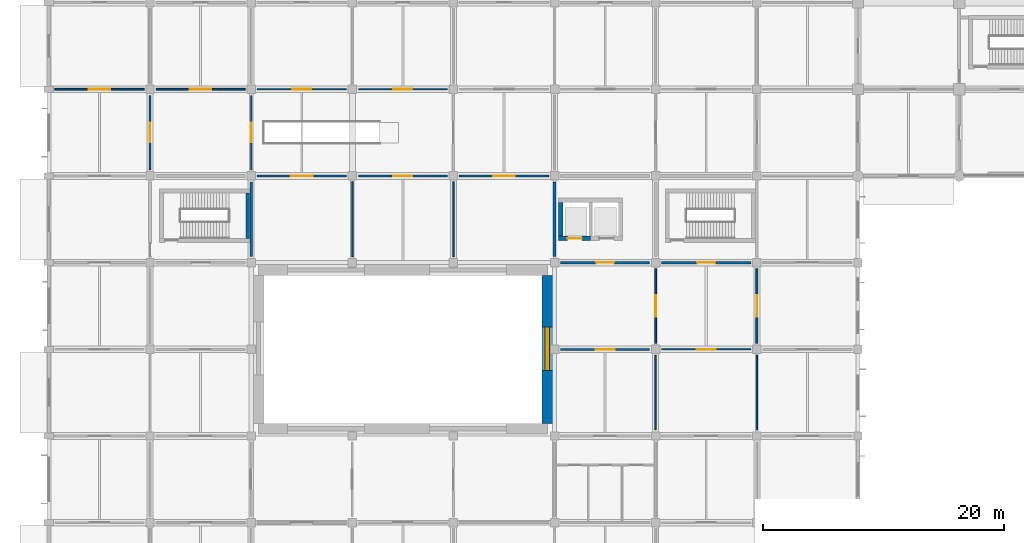
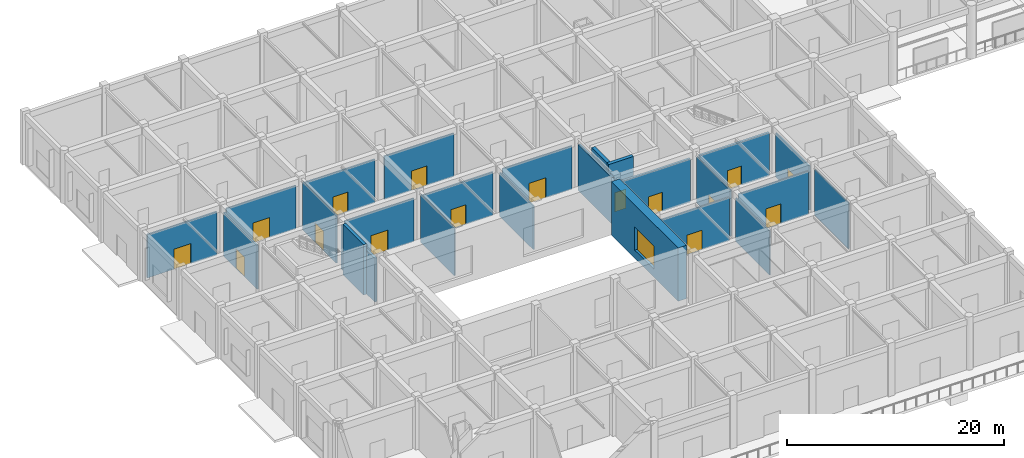
# One storey, part 15 of 39: 25 walls, 16 doors, 1 window, 17 openings.
"""IFC4 building model written with IfcOpenShell, lengths in metres."""

from ifc_helpers import new_model, si_unit, derived_unit, direction, frame, frame_2d, origin, place, context, subcontext, project, spatial, rectangle, extrude, material, layer, layer_set, type_object, element, fill, save


model = new_model("IFC4")

# Units and contexts
model_context = context("Model", 3, precision=1e-05, world=origin(), true_north=direction((0.0, 1.0)))
body_context = subcontext(model_context, "Body", "Model", "MODEL_VIEW")
ifc_project = project(units=[si_unit("LENGTHUNIT", "METRE"), si_unit("AREAUNIT", "SQUARE_METRE"), si_unit("VOLUMEUNIT", "CUBIC_METRE"), si_unit("PLANEANGLEUNIT", "RADIAN"), si_unit("MASSUNIT", "GRAM", prefix="KILO"), derived_unit("THERMALTRANSMITTANCEUNIT", [(si_unit("MASSUNIT", "GRAM", prefix="KILO"), 1), (si_unit("TIMEUNIT", "SECOND"), -3), (si_unit("THERMODYNAMICTEMPERATUREUNIT", "KELVIN"), -1)])], contexts=[model_context])

# Site, building, storey
site_placement = place(None, origin())
site = spatial("IfcSite", under=ifc_project, at=site_placement, CompositionType="ELEMENT")
building_placement = place(site_placement, origin())
building = spatial("IfcBuilding", under=site, at=building_placement, Name="Veldstrom Oceanarium and Marine Research Institute", CompositionType="ELEMENT")
storey_placement = place(building_placement, origin())
storey = spatial("IfcBuildingStorey", under=building, at=storey_placement, Name="L00", CompositionType="ELEMENT", Elevation=0.0)

# Walls
ifc_material_1 = material(Name="Masonry Fire Compartment Wall", Category="masonry")
ifc_layer_1 = layer(ifc_material_1, 0.22998046875)
ifc_layer_set_1 = layer_set([ifc_layer_1], Name="ARC-WAL-PT1")
wall_type_1 = type_object("IfcWallType", Name="ARC-WAL-PT1", PredefinedType="PARTITIONING", material=ifc_layer_set_1)
wall_1_placement = place(storey_placement, frame((16.800048828125, 36.5, 0.0), z_axis=(0.0, 0.0, 1.0), x_axis=(0.0, 1.0, 0.0)))
element("IfcWall", 1, at=wall_1_placement, inside=storey, type_object=wall_type_1, Name="Interior Partition PT1 L00-0598", PredefinedType="PARTITIONING", context=body_context, shape_type="SweptSolid", body=[
    extrude(rectangle(XDim=6.199951171875, YDim=0.22998046875, at=frame_2d((3.10009765625, 0.0))), origin(), (0.0, 0.0, 1.0), 4.919921875),
])
wall_2_placement = place(storey_placement, frame((42.0, 36.5, 0.0), z_axis=(0.0, 0.0, 1.0), x_axis=(0.0, 1.0, 0.0)))
element("IfcWall", 2, at=wall_2_placement, inside=storey, type_object=wall_type_1, Name="Interior Partition PT1 L00-0638", PredefinedType="PARTITIONING", context=body_context, shape_type="SweptSolid", body=[
    extrude(rectangle(XDim=6.199951171875, YDim=0.22998046875, at=frame_2d((3.10009765625, 0.0))), origin(), (0.0, 0.0, 1.0), 5.169921875),
])

# Wall, opening, door
wall_3_placement = place(storey_placement, frame((42.5, 36.0, 0.0), z_axis=(0.0, 0.0, 1.0), x_axis=(1.0, 0.0, 0.0)))
wall_3 = element("IfcWall", 3, at=wall_3_placement, inside=storey, type_object=wall_type_1, Name="Interior Partition PT1 L00-0656", PredefinedType="PARTITIONING", context=body_context, shape_type="SweptSolid", body=[
    extrude(rectangle(XDim=7.39990234375, YDim=0.22998046875, at=frame_2d((3.699951171875, 0.0))), origin(), (0.0, 0.0, 1.0), 4.8701171875),
])
opening_1_placement = place(wall_3_placement, frame((2.949951171875, 0.0, 0.0)))
opening_1 = element("IfcOpeningElement", 4, at=opening_1_placement, cuts=wall_3, Name="Opening D-L00-381", PredefinedType="OPENING", context=body_context, shape_type="SweptSolid", body=[
    extrude(rectangle(XDim=1.5, YDim=2.14990234375, at=frame_2d((0.75, 1.074951171875))), frame((0.0, 0.125, 0.0), z_axis=(0.0, -1.0, 0.0), x_axis=(1.0, 0.0, 0.0)), (0.0, 0.0, 1.0), 0.25),
])
ifc_material_2 = material(Name="Painted Steel Lobby Fire Door", Category="steel")
door_type_1 = type_object("IfcDoorType", Name="ARC-DOR-SD2", OperationType="DOUBLE_DOOR_SINGLE_SWING", PredefinedType="DOOR", material=ifc_material_2)
door_1_placement = place(opening_1_placement, frame((1.5, 0.0, 0.0), z_axis=(0.0, 0.0, 1.0), x_axis=(-1.0, 0.0, 0.0)))
door_1 = element("IfcDoor", 5, at=door_1_placement, inside=storey, type_object=door_type_1, Name="Interior Door D-L00-381", OperationType="DOUBLE_DOOR_SINGLE_SWING", OverallHeight=2.14990234375, OverallWidth=1.5, PredefinedType="DOOR", context=body_context, shape_type="SweptSolid", body=[
    extrude(rectangle(XDim=1.5, YDim=2.14990234375, at=frame_2d((0.75, 1.074951171875))), frame((0.0, 0.02490234375, 0.0), z_axis=(0.0, -1.0, 0.0), x_axis=(1.0, 0.0, 0.0)), (0.0, 0.0, 1.0), 0.050048828125),
])
fill(opening_1, door_1)

wall_4_placement = place(storey_placement, frame((50.89990234375, 36.0, 0.0), z_axis=(0.0, 0.0, 1.0), x_axis=(1.0, 0.0, 0.0)))
wall_4 = element("IfcWall", 6, at=wall_4_placement, inside=storey, type_object=wall_type_1, Name="Interior Partition PT1 L00-0675", PredefinedType="PARTITIONING", context=body_context, shape_type="SweptSolid", body=[
    extrude(rectangle(XDim=7.400146484375, YDim=0.22998046875, at=frame_2d((3.7001953125, 0.0))), origin(), (0.0, 0.0, 1.0), 4.8701171875),
])
opening_2_placement = place(wall_4_placement, frame((2.949951171875, 0.0, 0.0)))
opening_2 = element("IfcOpeningElement", 7, at=opening_2_placement, cuts=wall_4, Name="Opening D-L00-391", PredefinedType="OPENING", context=body_context, shape_type="SweptSolid", body=[
    extrude(rectangle(XDim=1.5, YDim=2.14990234375, at=frame_2d((0.75, 1.074951171875))), frame((0.0, 0.125, 0.0), z_axis=(0.0, -1.0, 0.0), x_axis=(1.0, 0.0, 0.0)), (0.0, 0.0, 1.0), 0.25),
])
door_2_placement = place(opening_2_placement, frame((1.5, 0.0, 0.0), z_axis=(0.0, 0.0, 1.0), x_axis=(-1.0, 0.0, 0.0)))
door_2 = element("IfcDoor", 8, at=door_2_placement, inside=storey, type_object=door_type_1, Name="Interior Door D-L00-391", OperationType="DOUBLE_DOOR_SINGLE_SWING", OverallHeight=2.14990234375, OverallWidth=1.5, PredefinedType="DOOR", context=body_context, shape_type="SweptSolid", body=[
    extrude(rectangle(XDim=1.5, YDim=2.14990234375, at=frame_2d((0.75, 1.074951171875))), frame((0.0, 0.02490234375, 0.0), z_axis=(0.0, -1.0, 0.0), x_axis=(1.0, 0.0, 0.0)), (0.0, 0.0, 1.0), 0.050048828125),
])
fill(opening_2, door_2)

ifc_material_3 = material(Name="Drywall Corridor Partition", Category="gypsum")
ifc_layer_2 = layer(ifc_material_3, 0.155029296875)
ifc_layer_set_2 = layer_set([ifc_layer_2], Name="ARC-WAL-PT4")
wall_type_2 = type_object("IfcWallType", Name="ARC-WAL-PT4", PredefinedType="PARTITIONING", material=ifc_layer_set_2)
wall_5_placement = place(storey_placement, frame((8.39990234375, 43.699951171875, 0.0), z_axis=(0.0, 0.0, 1.0), x_axis=(0.0, 1.0, 0.0)))
wall_5 = element("IfcWall", 9, at=wall_5_placement, inside=storey, type_object=wall_type_2, Name="Interior Partition PT4 L00-0583", PredefinedType="PARTITIONING", context=body_context, shape_type="SweptSolid", body=[
    extrude(rectangle(XDim=6.199951171875, YDim=0.155029296875, at=frame_2d((3.10009765625, 0.0))), origin(), (0.0, 0.0, 1.0), 4.919921875),
])
opening_3_placement = place(wall_5_placement, frame((2.300048828125, 0.0, 0.0)))
opening_3 = element("IfcOpeningElement", 10, at=opening_3_placement, cuts=wall_5, Name="Opening D-L00-341", PredefinedType="OPENING", context=body_context, shape_type="SweptSolid", body=[
    extrude(rectangle(XDim=1.60009765625, YDim=2.199951171875, at=frame_2d((0.800048828125, 1.10009765625))), frame((0.0, 0.08740234375, 0.0), z_axis=(0.0, -1.0, 0.0), x_axis=(1.0, 0.0, 0.0)), (0.0, 0.0, 1.0), 0.175048828125),
])
ifc_material_4 = material(Name="Acoustic Timber Corridor Door", Category="wood")
door_type_2 = type_object("IfcDoorType", Name="ARC-DOR-ID02", OperationType="DOUBLE_DOOR_SINGLE_SWING", PredefinedType="DOOR", material=ifc_material_4)
door_3_placement = place(opening_3_placement, frame((1.60009765625, 0.0, 0.0), z_axis=(0.0, 0.0, 1.0), x_axis=(-1.0, 0.0, 0.0)))
door_3 = element("IfcDoor", 11, at=door_3_placement, inside=storey, type_object=door_type_2, Name="Interior Door D-L00-341", OperationType="DOUBLE_DOOR_SINGLE_SWING", OverallHeight=2.199951171875, OverallWidth=1.60009765625, PredefinedType="DOOR", context=body_context, shape_type="SweptSolid", body=[
    extrude(rectangle(XDim=1.60009765625, YDim=2.199951171875, at=frame_2d((0.800048828125, 1.10009765625))), frame((0.0, 0.02490234375, 0.0), z_axis=(0.0, -1.0, 0.0), x_axis=(1.0, 0.0, 0.0)), (0.0, 0.0, 1.0), 0.050048828125),
])
fill(opening_3, door_3)

wall_6_placement = place(storey_placement, frame((0.5, 50.39990234375, 0.0), z_axis=(0.0, 0.0, 1.0), x_axis=(1.0, 0.0, 0.0)))
wall_6 = element("IfcWall", 12, at=wall_6_placement, inside=storey, type_object=wall_type_2, Name="Interior Partition PT4 L00-0584", PredefinedType="PARTITIONING", context=body_context, shape_type="SweptSolid", body=[
    extrude(rectangle(XDim=7.39990234375, YDim=0.155029296875, at=frame_2d((3.699951171875, 0.0))), origin(), (0.0, 0.0, 1.0), 4.8701171875),
])
opening_4_placement = place(wall_6_placement, frame((2.800048828125, 0.0, 0.0)))
opening_4 = element("IfcOpeningElement", 13, at=opening_4_placement, cuts=wall_6, Name="Opening D-L00-342", PredefinedType="OPENING", context=body_context, shape_type="SweptSolid", body=[
    extrude(rectangle(XDim=1.800048828125, YDim=2.25, at=frame_2d((0.89990234375, 1.125))), frame((0.0, 0.08740234375, 0.0), z_axis=(0.0, -1.0, 0.0), x_axis=(1.0, 0.0, 0.0)), (0.0, 0.0, 1.0), 0.175048828125),
])
ifc_material_5 = material(Name="Acoustic Timber Gallery Door", Category="wood")
door_type_3 = type_object("IfcDoorType", Name="ARC-DOR-ID01", OperationType="DOUBLE_DOOR_SINGLE_SWING", PredefinedType="DOOR", material=ifc_material_5)
door_4_placement = place(opening_4_placement, origin())
door_4 = element("IfcDoor", 14, at=door_4_placement, inside=storey, type_object=door_type_3, Name="Interior Door D-L00-342", OperationType="DOUBLE_DOOR_SINGLE_SWING", OverallHeight=2.25, OverallWidth=1.800048828125, PredefinedType="DOOR", context=body_context, shape_type="SweptSolid", body=[
    extrude(rectangle(XDim=1.800048828125, YDim=2.25, at=frame_2d((0.89990234375, 1.125))), frame((0.0, 0.02490234375, 0.0), z_axis=(0.0, -1.0, 0.0), x_axis=(1.0, 0.0, 0.0)), (0.0, 0.0, 1.0), 0.050048828125),
])
fill(opening_4, door_4)

wall_7_placement = place(storey_placement, frame((17.300048828125, 50.39990234375, 0.0), z_axis=(0.0, 0.0, 1.0), x_axis=(1.0, 0.0, 0.0)))
wall_7 = element("IfcWall", 15, at=wall_7_placement, inside=storey, type_object=wall_type_2, Name="Interior Partition PT4 L00-0614", PredefinedType="PARTITIONING", context=body_context, shape_type="SweptSolid", body=[
    extrude(rectangle(XDim=7.39990234375, YDim=0.155029296875, at=frame_2d((3.699951171875, 0.0))), origin(), (0.0, 0.0, 1.0), 4.8701171875),
])
opening_5_placement = place(wall_7_placement, frame((2.89990234375, 0.0, 0.0)))
opening_5 = element("IfcOpeningElement", 16, at=opening_5_placement, cuts=wall_7, Name="Opening D-L00-359", PredefinedType="OPENING", context=body_context, shape_type="SweptSolid", body=[
    extrude(rectangle(XDim=1.60009765625, YDim=2.199951171875, at=frame_2d((0.800048828125, 1.10009765625))), frame((0.0, 0.08740234375, 0.0), z_axis=(0.0, -1.0, 0.0), x_axis=(1.0, 0.0, 0.0)), (0.0, 0.0, 1.0), 0.175048828125),
])
door_5_placement = place(opening_5_placement, origin())
door_5 = element("IfcDoor", 17, at=door_5_placement, inside=storey, type_object=door_type_2, Name="Interior Door D-L00-359", OperationType="DOUBLE_DOOR_SINGLE_SWING", OverallHeight=2.199951171875, OverallWidth=1.60009765625, PredefinedType="DOOR", context=body_context, shape_type="SweptSolid", body=[
    extrude(rectangle(XDim=1.60009765625, YDim=2.199951171875, at=frame_2d((0.800048828125, 1.10009765625))), frame((0.0, 0.02490234375, 0.0), z_axis=(0.0, -1.0, 0.0), x_axis=(1.0, 0.0, 0.0)), (0.0, 0.0, 1.0), 0.050048828125),
])
fill(opening_5, door_5)

wall_8_placement = place(storey_placement, frame((25.699951171875, 43.199951171875, 0.0), z_axis=(0.0, 0.0, 1.0), x_axis=(1.0, 0.0, 0.0)))
wall_8 = element("IfcWall", 18, at=wall_8_placement, inside=storey, type_object=wall_type_2, Name="Interior Partition PT4 L00-0625", PredefinedType="PARTITIONING", context=body_context, shape_type="SweptSolid", body=[
    extrude(rectangle(XDim=7.400146484375, YDim=0.155029296875, at=frame_2d((3.7001953125, 0.0))), origin(), (0.0, 0.0, 1.0), 4.8701171875),
])
opening_6_placement = place(wall_8_placement, frame((2.89990234375, 0.0, 0.0)))
opening_6 = element("IfcOpeningElement", 19, at=opening_6_placement, cuts=wall_8, Name="Opening D-L00-365", PredefinedType="OPENING", context=body_context, shape_type="SweptSolid", body=[
    extrude(rectangle(XDim=1.60009765625, YDim=2.199951171875, at=frame_2d((0.800048828125, 1.10009765625))), frame((0.0, 0.08740234375, 0.0), z_axis=(0.0, -1.0, 0.0), x_axis=(1.0, 0.0, 0.0)), (0.0, 0.0, 1.0), 0.175048828125),
])
door_6_placement = place(opening_6_placement, origin())
door_6 = element("IfcDoor", 20, at=door_6_placement, inside=storey, type_object=door_type_2, Name="Interior Door D-L00-365", OperationType="DOUBLE_DOOR_SINGLE_SWING", OverallHeight=2.199951171875, OverallWidth=1.60009765625, PredefinedType="DOOR", context=body_context, shape_type="SweptSolid", body=[
    extrude(rectangle(XDim=1.60009765625, YDim=2.199951171875, at=frame_2d((0.800048828125, 1.10009765625))), frame((0.0, 0.02490234375, 0.0), z_axis=(0.0, -1.0, 0.0), x_axis=(1.0, 0.0, 0.0)), (0.0, 0.0, 1.0), 0.050048828125),
])
fill(opening_6, door_6)

wall_9_placement = place(storey_placement, frame((42.5, 28.800048828125, 0.0), z_axis=(0.0, 0.0, 1.0), x_axis=(1.0, 0.0, 0.0)))
wall_9 = element("IfcWall", 21, at=wall_9_placement, inside=storey, type_object=wall_type_2, Name="Interior Partition PT4 L00-0654", PredefinedType="PARTITIONING", context=body_context, shape_type="SweptSolid", body=[
    extrude(rectangle(XDim=7.39990234375, YDim=0.155029296875, at=frame_2d((3.699951171875, 0.0))), origin(), (0.0, 0.0, 1.0), 4.8701171875),
])
opening_7_placement = place(wall_9_placement, frame((2.89990234375, 0.0, 0.0)))
opening_7 = element("IfcOpeningElement", 22, at=opening_7_placement, cuts=wall_9, Name="Opening D-L00-379", PredefinedType="OPENING", context=body_context, shape_type="SweptSolid", body=[
    extrude(rectangle(XDim=1.60009765625, YDim=2.199951171875, at=frame_2d((0.800048828125, 1.10009765625))), frame((0.0, 0.08740234375, 0.0), z_axis=(0.0, -1.0, 0.0), x_axis=(1.0, 0.0, 0.0)), (0.0, 0.0, 1.0), 0.175048828125),
])
door_7_placement = place(opening_7_placement, origin())
door_7 = element("IfcDoor", 23, at=door_7_placement, inside=storey, type_object=door_type_2, Name="Interior Door D-L00-379", OperationType="DOUBLE_DOOR_SINGLE_SWING", OverallHeight=2.199951171875, OverallWidth=1.60009765625, PredefinedType="DOOR", context=body_context, shape_type="SweptSolid", body=[
    extrude(rectangle(XDim=1.60009765625, YDim=2.199951171875, at=frame_2d((0.800048828125, 1.10009765625))), frame((0.0, 0.02490234375, 0.0), z_axis=(0.0, -1.0, 0.0), x_axis=(1.0, 0.0, 0.0)), (0.0, 0.0, 1.0), 0.050048828125),
])
fill(opening_7, door_7)

wall_10_placement = place(storey_placement, frame((58.800048828125, 29.300048828125, 0.0), z_axis=(0.0, 0.0, 1.0), x_axis=(0.0, 1.0, 0.0)))
wall_10 = element("IfcWall", 24, at=wall_10_placement, inside=storey, type_object=wall_type_2, Name="Interior Partition PT4 L00-0674", PredefinedType="PARTITIONING", context=body_context, shape_type="SweptSolid", body=[
    extrude(rectangle(XDim=6.199951171875, YDim=0.155029296875, at=frame_2d((3.10009765625, 0.0))), origin(), (0.0, 0.0, 1.0), 4.919921875),
])
opening_8_placement = place(wall_10_placement, frame((2.199951171875, 0.0, 0.0)))
opening_8 = element("IfcOpeningElement", 25, at=opening_8_placement, cuts=wall_10, Name="Opening D-L00-390", PredefinedType="OPENING", context=body_context, shape_type="SweptSolid", body=[
    extrude(rectangle(XDim=1.800048828125, YDim=2.25, at=frame_2d((0.89990234375, 1.125))), frame((0.0, 0.08740234375, 0.0), z_axis=(0.0, -1.0, 0.0), x_axis=(1.0, 0.0, 0.0)), (0.0, 0.0, 1.0), 0.175048828125),
])
door_8_placement = place(opening_8_placement, frame((1.800048828125, 0.0, 0.0), z_axis=(0.0, 0.0, 1.0), x_axis=(-1.0, 0.0, 0.0)))
door_8 = element("IfcDoor", 26, at=door_8_placement, inside=storey, type_object=door_type_3, Name="Interior Door D-L00-390", OperationType="DOUBLE_DOOR_SINGLE_SWING", OverallHeight=2.25, OverallWidth=1.800048828125, PredefinedType="DOOR", context=body_context, shape_type="SweptSolid", body=[
    extrude(rectangle(XDim=1.800048828125, YDim=2.25, at=frame_2d((0.89990234375, 1.125))), frame((0.0, 0.02490234375, 0.0), z_axis=(0.0, -1.0, 0.0), x_axis=(1.0, 0.0, 0.0)), (0.0, 0.0, 1.0), 0.050048828125),
])
fill(opening_8, door_8)

ifc_material_6 = material(Name="Moisture-Resistant Wet-Area Partition", Category="masonry")
ifc_layer_3 = layer(ifc_material_6, 0.139892578125)
ifc_layer_set_3 = layer_set([ifc_layer_3], Name="ARC-WAL-PT5")
wall_type_3 = type_object("IfcWallType", Name="ARC-WAL-PT5", PredefinedType="PARTITIONING", material=ifc_layer_set_3)
wall_11_placement = place(storey_placement, frame((16.800048828125, 43.699951171875, 0.0), z_axis=(0.0, 0.0, 1.0), x_axis=(0.0, 1.0, 0.0)))
wall_11 = element("IfcWall", 27, at=wall_11_placement, inside=storey, type_object=wall_type_3, Name="Interior Partition PT5 L00-0600", PredefinedType="PARTITIONING", context=body_context, shape_type="SweptSolid", body=[
    extrude(rectangle(XDim=6.199951171875, YDim=0.139892578125, at=frame_2d((3.10009765625, 0.0))), origin(), (0.0, 0.0, 1.0), 5.3798828125),
])
opening_9_placement = place(wall_11_placement, frame((2.300048828125, 0.0, 0.0)))
opening_9 = element("IfcOpeningElement", 28, at=opening_9_placement, cuts=wall_11, Name="Opening D-L00-351", PredefinedType="OPENING", context=body_context, shape_type="SweptSolid", body=[
    extrude(rectangle(XDim=1.60009765625, YDim=2.199951171875, at=frame_2d((0.800048828125, 1.10009765625))), frame((0.0, 0.079833984375, 0.0), z_axis=(0.0, -1.0, 0.0), x_axis=(1.0, 0.0, 0.0)), (0.0, 0.0, 1.0), 0.159912109375),
])
door_9_placement = place(opening_9_placement, origin())
door_9 = element("IfcDoor", 29, at=door_9_placement, inside=storey, type_object=door_type_2, Name="Interior Door D-L00-351", OperationType="DOUBLE_DOOR_SINGLE_SWING", OverallHeight=2.199951171875, OverallWidth=1.60009765625, PredefinedType="DOOR", context=body_context, shape_type="SweptSolid", body=[
    extrude(rectangle(XDim=1.60009765625, YDim=2.199951171875, at=frame_2d((0.800048828125, 1.10009765625))), frame((0.0, 0.02490234375, 0.0), z_axis=(0.0, -1.0, 0.0), x_axis=(1.0, 0.0, 0.0)), (0.0, 0.0, 1.0), 0.050048828125),
])
fill(opening_9, door_9)

wall_12_placement = place(storey_placement, frame((8.89990234375, 50.39990234375, 0.0), z_axis=(0.0, 0.0, 1.0), x_axis=(1.0, 0.0, 0.0)))
wall_12 = element("IfcWall", 30, at=wall_12_placement, inside=storey, type_object=wall_type_3, Name="Interior Partition PT5 L00-0601", PredefinedType="PARTITIONING", context=body_context, shape_type="SweptSolid", body=[
    extrude(rectangle(XDim=7.400146484375, YDim=0.139892578125, at=frame_2d((3.7001953125, 0.0))), origin(), (0.0, 0.0, 1.0), 4.8701171875),
])
opening_10_placement = place(wall_12_placement, frame((2.800048828125, 0.0, 0.0)))
opening_10 = element("IfcOpeningElement", 31, at=opening_10_placement, cuts=wall_12, Name="Opening D-L00-352", PredefinedType="OPENING", context=body_context, shape_type="SweptSolid", body=[
    extrude(rectangle(XDim=1.800048828125, YDim=2.25, at=frame_2d((0.89990234375, 1.125))), frame((0.0, 0.079833984375, 0.0), z_axis=(0.0, -1.0, 0.0), x_axis=(1.0, 0.0, 0.0)), (0.0, 0.0, 1.0), 0.159912109375),
])
door_10_placement = place(opening_10_placement, origin())
door_10 = element("IfcDoor", 32, at=door_10_placement, inside=storey, type_object=door_type_3, Name="Interior Door D-L00-352", OperationType="DOUBLE_DOOR_SINGLE_SWING", OverallHeight=2.25, OverallWidth=1.800048828125, PredefinedType="DOOR", context=body_context, shape_type="SweptSolid", body=[
    extrude(rectangle(XDim=1.800048828125, YDim=2.25, at=frame_2d((0.89990234375, 1.125))), frame((0.0, 0.02490234375, 0.0), z_axis=(0.0, -1.0, 0.0), x_axis=(1.0, 0.0, 0.0)), (0.0, 0.0, 1.0), 0.050048828125),
])
fill(opening_10, door_10)

wall_13_placement = place(storey_placement, frame((17.300048828125, 43.199951171875, 0.0), z_axis=(0.0, 0.0, 1.0), x_axis=(1.0, 0.0, 0.0)))
wall_13 = element("IfcWall", 33, at=wall_13_placement, inside=storey, type_object=wall_type_3, Name="Interior Partition PT5 L00-0613", PredefinedType="PARTITIONING", context=body_context, shape_type="SweptSolid", body=[
    extrude(rectangle(XDim=7.39990234375, YDim=0.139892578125, at=frame_2d((3.699951171875, 0.0))), origin(), (0.0, 0.0, 1.0), 4.8701171875),
])
opening_11_placement = place(wall_13_placement, frame((2.800048828125, 0.0, 0.0)))
opening_11 = element("IfcOpeningElement", 34, at=opening_11_placement, cuts=wall_13, Name="Opening D-L00-358", PredefinedType="OPENING", context=body_context, shape_type="SweptSolid", body=[
    extrude(rectangle(XDim=1.800048828125, YDim=2.25, at=frame_2d((0.89990234375, 1.125))), frame((0.0, 0.079833984375, 0.0), z_axis=(0.0, -1.0, 0.0), x_axis=(1.0, 0.0, 0.0)), (0.0, 0.0, 1.0), 0.159912109375),
])
door_11_placement = place(opening_11_placement, frame((1.800048828125, 0.0, 0.0), z_axis=(0.0, 0.0, 1.0), x_axis=(-1.0, 0.0, 0.0)))
door_11 = element("IfcDoor", 35, at=door_11_placement, inside=storey, type_object=door_type_3, Name="Interior Door D-L00-358", OperationType="DOUBLE_DOOR_SINGLE_SWING", OverallHeight=2.25, OverallWidth=1.800048828125, PredefinedType="DOOR", context=body_context, shape_type="SweptSolid", body=[
    extrude(rectangle(XDim=1.800048828125, YDim=2.25, at=frame_2d((0.89990234375, 1.125))), frame((0.0, 0.02490234375, 0.0), z_axis=(0.0, -1.0, 0.0), x_axis=(1.0, 0.0, 0.0)), (0.0, 0.0, 1.0), 0.050048828125),
])
fill(opening_11, door_11)

wall_14_placement = place(storey_placement, frame((25.699951171875, 50.39990234375, 0.0), z_axis=(0.0, 0.0, 1.0), x_axis=(1.0, 0.0, 0.0)))
wall_14 = element("IfcWall", 36, at=wall_14_placement, inside=storey, type_object=wall_type_3, Name="Interior Partition PT5 L00-0627", PredefinedType="PARTITIONING", context=body_context, shape_type="SweptSolid", body=[
    extrude(rectangle(XDim=7.400146484375, YDim=0.139892578125, at=frame_2d((3.7001953125, 0.0))), origin(), (0.0, 0.0, 1.0), 4.8701171875),
])
opening_12_placement = place(wall_14_placement, frame((2.89990234375, 0.0, 0.0)))
opening_12 = element("IfcOpeningElement", 37, at=opening_12_placement, cuts=wall_14, Name="Opening D-L00-367", PredefinedType="OPENING", context=body_context, shape_type="SweptSolid", body=[
    extrude(rectangle(XDim=1.60009765625, YDim=2.199951171875, at=frame_2d((0.800048828125, 1.10009765625))), frame((0.0, 0.079833984375, 0.0), z_axis=(0.0, -1.0, 0.0), x_axis=(1.0, 0.0, 0.0)), (0.0, 0.0, 1.0), 0.159912109375),
])
door_12_placement = place(opening_12_placement, origin())
door_12 = element("IfcDoor", 38, at=door_12_placement, inside=storey, type_object=door_type_2, Name="Interior Door D-L00-367", OperationType="DOUBLE_DOOR_SINGLE_SWING", OverallHeight=2.199951171875, OverallWidth=1.60009765625, PredefinedType="DOOR", context=body_context, shape_type="SweptSolid", body=[
    extrude(rectangle(XDim=1.60009765625, YDim=2.199951171875, at=frame_2d((0.800048828125, 1.10009765625))), frame((0.0, 0.02490234375, 0.0), z_axis=(0.0, -1.0, 0.0), x_axis=(1.0, 0.0, 0.0)), (0.0, 0.0, 1.0), 0.050048828125),
])
fill(opening_12, door_12)

wall_15_placement = place(storey_placement, frame((34.10009765625, 43.199951171875, 0.0), z_axis=(0.0, 0.0, 1.0), x_axis=(1.0, 0.0, 0.0)))
wall_15 = element("IfcWall", 39, at=wall_15_placement, inside=storey, type_object=wall_type_3, Name="Interior Partition PT5 L00-0639", PredefinedType="PARTITIONING", context=body_context, shape_type="SweptSolid", body=[
    extrude(rectangle(XDim=7.39990234375, YDim=0.139892578125, at=frame_2d((3.699951171875, 0.0))), origin(), (0.0, 0.0, 1.0), 4.8701171875),
])
opening_13_placement = place(wall_15_placement, frame((2.800048828125, 0.0, 0.0)))
opening_13 = element("IfcOpeningElement", 40, at=opening_13_placement, cuts=wall_15, Name="Opening D-L00-372", PredefinedType="OPENING", context=body_context, shape_type="SweptSolid", body=[
    extrude(rectangle(XDim=1.800048828125, YDim=2.25, at=frame_2d((0.89990234375, 1.125))), frame((0.0, 0.079833984375, 0.0), z_axis=(0.0, -1.0, 0.0), x_axis=(1.0, 0.0, 0.0)), (0.0, 0.0, 1.0), 0.159912109375),
])
door_13_placement = place(opening_13_placement, frame((1.800048828125, 0.0, 0.0), z_axis=(0.0, 0.0, 1.0), x_axis=(-1.0, 0.0, 0.0)))
door_13 = element("IfcDoor", 41, at=door_13_placement, inside=storey, type_object=door_type_3, Name="Interior Door D-L00-372", OperationType="DOUBLE_DOOR_SINGLE_SWING", OverallHeight=2.25, OverallWidth=1.800048828125, PredefinedType="DOOR", context=body_context, shape_type="SweptSolid", body=[
    extrude(rectangle(XDim=1.800048828125, YDim=2.25, at=frame_2d((0.89990234375, 1.125))), frame((0.0, 0.02490234375, 0.0), z_axis=(0.0, -1.0, 0.0), x_axis=(1.0, 0.0, 0.0)), (0.0, 0.0, 1.0), 0.050048828125),
])
fill(opening_13, door_13)

wall_16_placement = place(storey_placement, frame((50.39990234375, 29.300048828125, 0.0), z_axis=(0.0, 0.0, 1.0), x_axis=(0.0, 1.0, 0.0)))
wall_16 = element("IfcWall", 42, at=wall_16_placement, inside=storey, type_object=wall_type_3, Name="Interior Partition PT5 L00-0655", PredefinedType="PARTITIONING", context=body_context, shape_type="SweptSolid", body=[
    extrude(rectangle(XDim=6.199951171875, YDim=0.139892578125, at=frame_2d((3.10009765625, 0.0))), origin(), (0.0, 0.0, 1.0), 5.169921875),
])
opening_14_placement = place(wall_16_placement, frame((2.199951171875, 0.0, 0.0)))
opening_14 = element("IfcOpeningElement", 43, at=opening_14_placement, cuts=wall_16, Name="Opening D-L00-380", PredefinedType="OPENING", context=body_context, shape_type="SweptSolid", body=[
    extrude(rectangle(XDim=1.800048828125, YDim=2.25, at=frame_2d((0.89990234375, 1.125))), frame((0.0, 0.079833984375, 0.0), z_axis=(0.0, -1.0, 0.0), x_axis=(1.0, 0.0, 0.0)), (0.0, 0.0, 1.0), 0.159912109375),
])
door_14_placement = place(opening_14_placement, origin())
door_14 = element("IfcDoor", 44, at=door_14_placement, inside=storey, type_object=door_type_3, Name="Interior Door D-L00-380", OperationType="DOUBLE_DOOR_SINGLE_SWING", OverallHeight=2.25, OverallWidth=1.800048828125, PredefinedType="DOOR", context=body_context, shape_type="SweptSolid", body=[
    extrude(rectangle(XDim=1.800048828125, YDim=2.25, at=frame_2d((0.89990234375, 1.125))), frame((0.0, 0.02490234375, 0.0), z_axis=(0.0, -1.0, 0.0), x_axis=(1.0, 0.0, 0.0)), (0.0, 0.0, 1.0), 0.050048828125),
])
fill(opening_14, door_14)

wall_17_placement = place(storey_placement, frame((50.89990234375, 28.800048828125, 0.0), z_axis=(0.0, 0.0, 1.0), x_axis=(1.0, 0.0, 0.0)))
wall_17 = element("IfcWall", 45, at=wall_17_placement, inside=storey, type_object=wall_type_3, Name="Interior Partition PT5 L00-0673", PredefinedType="PARTITIONING", context=body_context, shape_type="SweptSolid", body=[
    extrude(rectangle(XDim=7.400146484375, YDim=0.139892578125, at=frame_2d((3.7001953125, 0.0))), origin(), (0.0, 0.0, 1.0), 4.8701171875),
])
opening_15_placement = place(wall_17_placement, frame((2.89990234375, 0.0, 0.0)))
opening_15 = element("IfcOpeningElement", 46, at=opening_15_placement, cuts=wall_17, Name="Opening D-L00-389", PredefinedType="OPENING", context=body_context, shape_type="SweptSolid", body=[
    extrude(rectangle(XDim=1.60009765625, YDim=2.199951171875, at=frame_2d((0.800048828125, 1.10009765625))), frame((0.0, 0.079833984375, 0.0), z_axis=(0.0, -1.0, 0.0), x_axis=(1.0, 0.0, 0.0)), (0.0, 0.0, 1.0), 0.159912109375),
])
door_15_placement = place(opening_15_placement, frame((1.60009765625, 0.0, 0.0), z_axis=(0.0, 0.0, 1.0), x_axis=(-1.0, 0.0, 0.0)))
door_15 = element("IfcDoor", 47, at=door_15_placement, inside=storey, type_object=door_type_2, Name="Interior Door D-L00-389", OperationType="DOUBLE_DOOR_SINGLE_SWING", OverallHeight=2.199951171875, OverallWidth=1.60009765625, PredefinedType="DOOR", context=body_context, shape_type="SweptSolid", body=[
    extrude(rectangle(XDim=1.60009765625, YDim=2.199951171875, at=frame_2d((0.800048828125, 1.10009765625))), frame((0.0, 0.02490234375, 0.0), z_axis=(0.0, -1.0, 0.0), x_axis=(1.0, 0.0, 0.0)), (0.0, 0.0, 1.0), 0.050048828125),
])
fill(opening_15, door_15)

# Walls
ifc_material_7 = material(Name="Lightweight Studio Partition", Category="gypsum")
ifc_layer_4 = layer(ifc_material_7, 0.1201171875)
ifc_layer_set_4 = layer_set([ifc_layer_4], Name="ARC-WAL-PT6")
wall_type_4 = type_object("IfcWallType", Name="ARC-WAL-PT6", PredefinedType="PARTITIONING", material=ifc_layer_set_4)
wall_18_placement = place(storey_placement, frame((25.199951171875, 36.5, 0.0), z_axis=(0.0, 0.0, 1.0), x_axis=(0.0, 1.0, 0.0)))
element("IfcWall", 48, at=wall_18_placement, inside=storey, type_object=wall_type_4, Name="Interior Partition PT6 L00-0612", PredefinedType="PARTITIONING", context=body_context, shape_type="SweptSolid", body=[
    extrude(rectangle(XDim=6.199951171875, YDim=0.1201171875, at=frame_2d((3.10009765625, 0.0))), origin(), (0.0, 0.0, 1.0), 5.3798828125),
])
for number, where, z_axis, x_axis, name in (
    (49, (33.60009765625, 36.5, 0.0), (0.0, 0.0, 1.0), (0.0, 1.0, 0.0), "Interior Partition PT6 L00-0624"),
    (50, (50.39990234375, 22.10009765625, 0.0), (0.0, 0.0, 1.0), (0.0, 1.0, 0.0), "Interior Partition PT6 L00-0653"),
):
    element("IfcWall", number, at=place(storey_placement, frame(where, z_axis=z_axis, x_axis=x_axis)), inside=storey, type_object=wall_type_4, Name=name, PredefinedType="PARTITIONING", context=body_context, shape_type="SweptSolid", body=[
        extrude(rectangle(XDim=6.199951171875, YDim=0.1201171875, at=frame_2d((3.10009765625, 0.0))), origin(), (0.0, 0.0, 1.0), 4.919921875),
    ])
wall_19_placement = place(storey_placement, frame((58.800048828125, 22.10009765625, 0.0), z_axis=(0.0, 0.0, 1.0), x_axis=(0.0, 1.0, 0.0)))
element("IfcWall", 51, at=wall_19_placement, inside=storey, type_object=wall_type_4, Name="Interior Partition PT6 L00-0672", PredefinedType="PARTITIONING", context=body_context, shape_type="SweptSolid", body=[
    extrude(rectangle(XDim=6.199951171875, YDim=0.1201171875, at=frame_2d((3.10009765625, 0.0))), origin(), (0.0, 0.0, 1.0), 5.169921875),
])

# Wall, opening, door
ifc_material_8 = material(Name="Concrete C40/50", Category="concrete")
ifc_layer_5 = layer(ifc_material_8, 0.360107421875)
ifc_layer_set_5 = layer_set([ifc_layer_5], Name="STR-WAL-WC2")
wall_type_5 = type_object("IfcWallType", Name="STR-WAL-WC2", PredefinedType="SHEAR", material=ifc_layer_set_5)
wall_20_placement = place(storey_placement, frame((42.340087890625, 38.02001953125, 0.0), z_axis=(0.0, 0.0, 1.0), x_axis=(1.0, 0.0, 0.0)))
wall_20 = element("IfcWall", 52, at=wall_20_placement, inside=storey, type_object=wall_type_5, Name="Lift Shaft Front Shear Wall LP4 L00", PredefinedType="SHEAR", context=body_context, shape_type="SweptSolid", body=[
    extrude(rectangle(XDim=2.659912109375, YDim=0.360107421875, at=frame_2d((1.330078125, 0.0))), origin(), (0.0, 0.0, 1.0), 5.675048828125),
])
opening_16_placement = place(wall_20_placement, frame((0.72998046875, 0.0, 0.0)))
opening_16 = element("IfcOpeningElement", 53, at=opening_16_placement, cuts=wall_20, Name="Opening LD-LP4-L00", PredefinedType="OPENING", context=body_context, shape_type="SweptSolid", body=[
    extrude(rectangle(XDim=1.199951171875, YDim=2.14990234375, at=frame_2d((0.60009765625, 1.074951171875))), frame((0.0, 0.18994140625, 0.0), z_axis=(0.0, -1.0, 0.0), x_axis=(1.0, 0.0, 0.0)), (0.0, 0.0, 1.0), 0.380126953125),
])
ifc_material_9 = material(Name="Stainless Steel Lift Landing Door", Category="steel")
door_type_4 = type_object("IfcDoorType", Name="ARC-DOR-LD2", OperationType="DOUBLE_DOOR_SLIDING", PredefinedType="DOOR", material=ifc_material_9)
door_16_placement = place(opening_16_placement, origin())
door_16 = element("IfcDoor", 54, at=door_16_placement, inside=storey, type_object=door_type_4, Name="Lift Landing Door LD-LP4-L00", OperationType="DOUBLE_DOOR_SLIDING", OverallHeight=2.14990234375, OverallWidth=1.199951171875, PredefinedType="DOOR", context=body_context, shape_type="SweptSolid", body=[
    extrude(rectangle(XDim=1.199951171875, YDim=2.14990234375, at=frame_2d((0.60009765625, 1.074951171875))), frame((0.0, 0.02490234375, 0.0), z_axis=(0.0, -1.0, 0.0), x_axis=(1.0, 0.0, 0.0)), (0.0, 0.0, 1.0), 0.050048828125),
])
fill(opening_16, door_16)

# Walls
wall_21_placement = place(storey_placement, frame((42.52001953125, 38.199951171875, 0.0), z_axis=(0.0, 0.0, 1.0), x_axis=(0.0, 1.0, 0.0)))
element("IfcWall", 55, at=wall_21_placement, inside=storey, type_object=wall_type_5, Name="Lift Shaft Shear Wall W L00 5/5", PredefinedType="SHEAR", context=body_context, shape_type="SweptSolid", body=[
    extrude(rectangle(XDim=2.800048828125, YDim=0.360107421875, at=frame_2d((1.39990234375, 0.0))), origin(), (0.0, 0.0, 1.0), 5.675048828125),
])
ifc_material_10 = material(Name="Concrete C40/50", Category="concrete")
ifc_layer_6 = layer(ifc_material_10, 0.320068359375)
ifc_layer_set_6 = layer_set([ifc_layer_6], Name="STR-WAL-WC3")
wall_type_6 = type_object("IfcWallType", Name="STR-WAL-WC3", PredefinedType="SHEAR", material=ifc_layer_set_6)
wall_22_placement = place(storey_placement, frame((16.52001953125, 38.0, 0.0), z_axis=(0.0, 0.0, 1.0), x_axis=(0.0, 1.0, 0.0)))
element("IfcWall", 56, at=wall_22_placement, inside=storey, type_object=wall_type_6, Name="Stair Core Shear Wall SC3-L00-E", PredefinedType="SHEAR", context=body_context, shape_type="SweptSolid", body=[
    extrude(rectangle(XDim=3.800048828125, YDim=0.320068359375, at=frame_2d((1.89990234375, 0.0))), origin(), (0.0, 0.0, 1.0), 5.675048828125),
])

# Wall, opening, window
ifc_material_11 = material(Name="Concrete C40/50", Category="concrete")
ifc_layer_7 = layer(ifc_material_11, 0.89990234375)
ifc_layer_set_7 = layer_set([ifc_layer_7], Name="STR-WAL-WT1")
wall_type_7 = type_object("IfcWallType", Name="STR-WAL-WT1", PredefinedType="SOLIDWALL", material=ifc_layer_set_7)
wall_23_placement = place(storey_placement, frame((41.39990234375, 22.64990234375, 0.0), z_axis=(0.0, 0.0, 1.0), x_axis=(0.0, 1.0, 0.0)))
wall_23 = element("IfcWall", 57, at=wall_23_placement, inside=storey, type_object=wall_type_7, Name="Ocean Tank Waterproof RC Wall L00-E", PredefinedType="SOLIDWALL", context=body_context, shape_type="SweptSolid", body=[
    extrude(rectangle(XDim=12.300048828125, YDim=0.89990234375, at=frame_2d((6.14990234375, 0.0))), origin(), (0.0, 0.0, 1.0), 6.0),
])
opening_17_placement = place(wall_23_placement, frame((4.39990234375, 0.0, 0.89990234375)))
opening_17 = element("IfcOpeningElement", 58, at=opening_17_placement, cuts=wall_23, Name="Opening VW4", PredefinedType="OPENING", context=body_context, shape_type="SweptSolid", body=[
    extrude(rectangle(XDim=3.60009765625, YDim=2.60009765625, at=frame_2d((1.800048828125, 1.300048828125))), frame((0.0, 0.4599609375, 0.0), z_axis=(0.0, -1.0, 0.0), x_axis=(1.0, 0.0, 0.0)), (0.0, 0.0, 1.0), 0.919921875),
])
ifc_material_12 = material(Name="Cast Acrylic PMMA", Category="glass")
window_type = type_object("IfcWindowType", Name="ARC-WIN-VW4", PartitioningType="SINGLE_PANEL", PredefinedType="WINDOW", material=ifc_material_12)
window_placement = place(opening_17_placement, origin())
window = element("IfcWindow", 59, at=window_placement, inside=storey, type_object=window_type, Name="Ocean Tank Acrylic Viewing Panel VW4-10", OverallHeight=2.60009765625, OverallWidth=3.60009765625, PartitioningType="SINGLE_PANEL", PredefinedType="WINDOW", context=body_context, shape_type="SweptSolid", body=[
    extrude(rectangle(XDim=3.60009765625, YDim=2.60009765625, at=frame_2d((1.800048828125, 1.300048828125))), frame((0.0, 0.175048828125, 0.0), z_axis=(0.0, -1.0, 0.0), x_axis=(1.0, 0.0, 0.0)), (0.0, 0.0, 1.0), 0.35009765625),
])
fill(opening_17, window)

save(model, "model.ifc")
